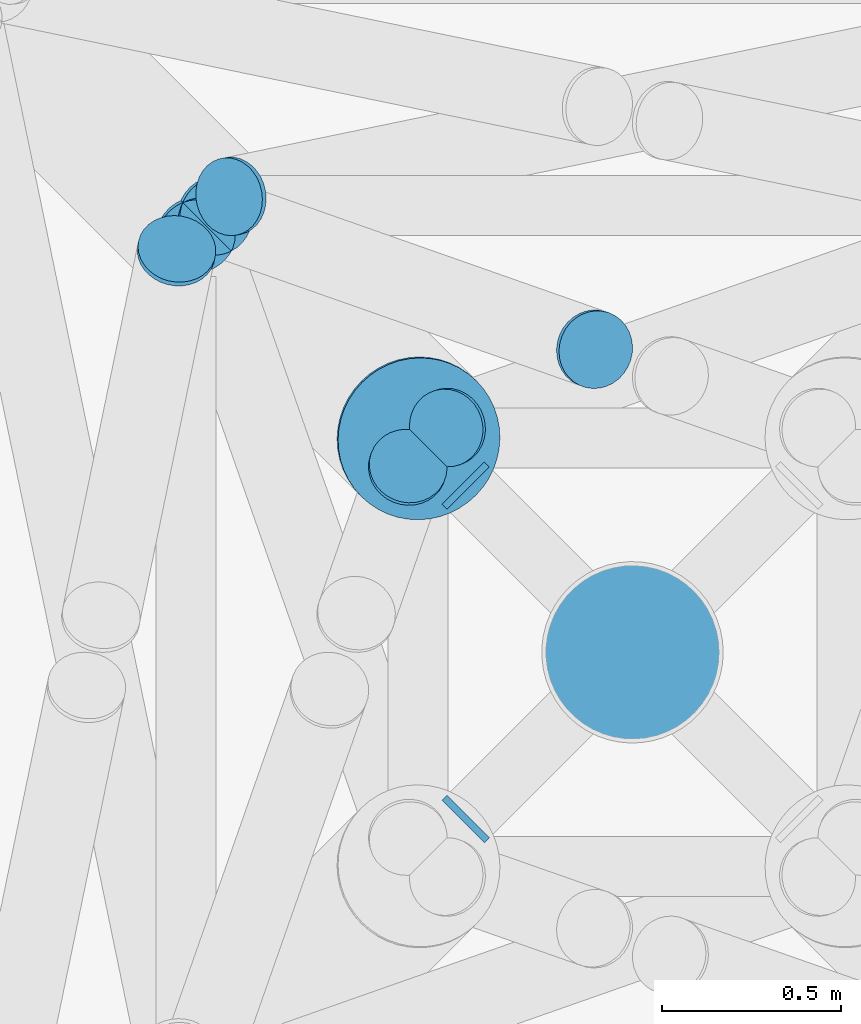
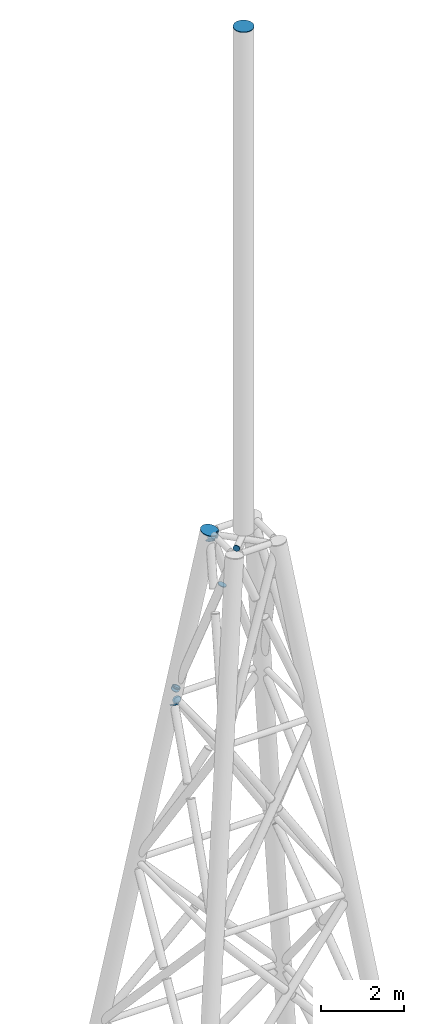
# One storey, part 5 of 10: 11 discrete accessories.
"""IFC4 building model written with IfcOpenShell, lengths in metres."""

from ifc_helpers import new_model, si_unit, direction, frame, origin, origin_2d, place, context, subcontext, project, spatial, circle, extrude, material, material_profile, profile_set, type_object, element, save


model = new_model("IFC4")

# Units and contexts
model_context = context("Model", 3, precision=1e-05, world=origin(), true_north=direction((0.0, 1.0)))
body_context = subcontext(model_context, "Body", "Model", "MODEL_VIEW")
ifc_project = project(units=[si_unit("LENGTHUNIT", "METRE"), si_unit("AREAUNIT", "SQUARE_METRE"), si_unit("VOLUMEUNIT", "CUBIC_METRE"), si_unit("PLANEANGLEUNIT", "RADIAN"), si_unit("MASSUNIT", "GRAM", prefix="KILO")], contexts=[model_context])

# Site, building, storey
site_placement = place(None, origin())
site = spatial("IfcSite", under=ifc_project, at=site_placement, CompositionType="ELEMENT")
building_placement = place(site_placement, origin())
building = spatial("IfcBuilding", under=site, at=building_placement, Name="Dhurran Vertical Campus", CompositionType="ELEMENT")
storey_placement = place(building_placement, frame((0.0, 0.0, 345.89990234375)))
storey = spatial("IfcBuildingStorey", under=building, at=storey_placement, Name="Upper Roof", CompositionType="ELEMENT", Elevation=345.89990234375)

# Discrete accessories
ifc_material_1 = material(Name="Steel S355J2", Category="steel")
ifc_material_profile_1 = material_profile(ifc_material_1, circle(Radius=0.084228515625, at=origin_2d()), Name="Tube end cap 168 x 20")
ifc_profile_set_1 = profile_set([ifc_material_profile_1], Name="Steel S355J2")
discrete_accessory_type_1 = type_object("IfcDiscreteAccessoryType", Name="Tube end cap 168 x 20", PredefinedType="USERDEFINED", material=ifc_profile_set_1)
for number, where, z_axis, x_axis, name in (
    (1, (-0.459716796875, -0.459716796875, 31.684326171875), (-0.707106781187, -0.707106781187, 0.0), (0.707106781187, -0.707106781187, 0.0), "EC1 mast head 1 capA"),
    (2, (-0.459716796875, 0.459716796875, 31.515869140625), (-0.707106781187, 0.707106781187, 0.0), (-0.707106781187, -0.707106781187, 0.0), "EC1 mast head 2 capB"),
):
    element("IfcDiscreteAccessory", number, at=place(storey_placement, frame(where, z_axis=z_axis, x_axis=x_axis)), inside=storey, type_object=discrete_accessory_type_1, Name=name, ObjectType="END CAP", PredefinedType="USERDEFINED", context=body_context, shape_type="SweptSolid", body=[
        extrude(circle(Radius=0.084228515625, at=origin_2d()), origin(), (0.0, 0.0, 1.0), 0.019775390625),
    ])
ifc_material_2 = material(Name="Steel S355J2", Category="steel")
ifc_material_profile_2 = material_profile(ifc_material_2, circle(Radius=0.109619140625, at=origin_2d()), Name="Tube end cap 219 x 20")
ifc_profile_set_2 = profile_set([ifc_material_profile_2], Name="Steel S355J2")
discrete_accessory_type_2 = type_object("IfcDiscreteAccessoryType", Name="Tube end cap 219 x 20", PredefinedType="USERDEFINED", material=ifc_profile_set_2)
for number, where, z_axis, x_axis, name in (
    (3, (-1.118408203125, 1.277099609375, 26.39111328125), (-0.525681799245, -0.110026423098, 0.843535910417), (0.204863154123, -0.978790625253, 0.0), "EC1 mast diag 4 055 capB"),
    (4, (-1.277099609375, 1.118408203125, 26.39111328125), (0.110026423098, 0.525681799245, 0.843535910417), (-0.978790625253, 0.204863154123, 0.0), "EC1 mast diag 4 060 capB"),
    (5, (-0.514404296875, 0.630126953125, 31.368896484375), (-0.343100156977, -0.122535770349, 0.931271854652), (0.336336396998, -0.941741911595, 0.0), "EC1 mast diag 5 067 capB"),
    (6, (-1.164306640625, 1.219970703125, 26.831298828125), (-0.353842768022, 0.122014747594, -0.927312081712), (-0.325990683319, -0.945372981626, 0.0), "EC1 mast diag 5 068 capA"),
    (7, (-0.109619140625, 0.849365234375, 29.681884765625), (0.343100156977, -0.122535770349, 0.931271854652), (0.336336396998, 0.941741911595, 0.0), "EC1 mast diag 5 068 capB"),
    (8, (-1.219970703125, 1.164306640625, 26.831298828125), (-0.122014747594, 0.353842768022, -0.927312081712), (-0.945372981626, -0.325990683319, 0.0), "EC1 mast diag 5 070 capA"),
    (9, (-0.630126953125, 0.514404296875, 31.368896484375), (0.122535770349, 0.343100156977, 0.931271854652), (-0.941741911595, 0.336336396998, 0.0), "EC1 mast diag 5 072 capB"),
):
    element("IfcDiscreteAccessory", number, at=place(storey_placement, frame(where, z_axis=z_axis, x_axis=x_axis)), inside=storey, type_object=discrete_accessory_type_2, Name=name, ObjectType="END CAP", PredefinedType="USERDEFINED", context=body_context, shape_type="SweptSolid", body=[
        extrude(circle(Radius=0.109619140625, at=origin_2d()), origin(), (0.0, 0.0, 1.0), 0.02001953125),
    ])
ifc_material_3 = material(Name="Steel S355J2", Category="steel")
ifc_material_profile_3 = material_profile(ifc_material_3, circle(Radius=0.228515625, at=origin_2d()), Name="Tube end cap 457 x 20")
ifc_profile_set_3 = profile_set([ifc_material_profile_3], Name="Steel S355J2")
discrete_accessory_type_3 = type_object("IfcDiscreteAccessoryType", Name="Tube end cap 457 x 20", PredefinedType="USERDEFINED", material=ifc_profile_set_3)
discrete_accessory_1_placement = place(storey_placement, frame((-0.60009765625, 0.60009765625, 31.60009765625), z_axis=(0.133365178225, -0.133365178225, 0.982052676018), x_axis=(0.707106781187, 0.707106781187, 0.0)))
element("IfcDiscreteAccessory", 10, at=discrete_accessory_1_placement, inside=storey, type_object=discrete_accessory_type_3, Name="EC1 mast leg4 cap", ObjectType="END CAP", PredefinedType="USERDEFINED", context=body_context, shape_type="SweptSolid", body=[
    extrude(circle(Radius=0.228515625, at=origin_2d()), origin(), (0.0, 0.0, 1.0), 0.02001953125),
])
ifc_material_4 = material(Name="Steel S355J2", Category="steel")
ifc_material_profile_4 = material_profile(ifc_material_4, circle(Radius=0.25390625, at=origin_2d()), Name="Tube end cap 508 x 20")
ifc_profile_set_4 = profile_set([ifc_material_profile_4], Name="Steel S355J2")
discrete_accessory_type_4 = type_object("IfcDiscreteAccessoryType", Name="Tube end cap 508 x 20", PredefinedType="USERDEFINED", material=ifc_profile_set_4)
discrete_accessory_2_placement = place(storey_placement, frame((0.0, 0.0, 46.60009765625), z_axis=(0.0, 0.0, 1.0), x_axis=(1.0, 0.0, 0.0)))
element("IfcDiscreteAccessory", 11, at=discrete_accessory_2_placement, inside=storey, type_object=discrete_accessory_type_4, Name="EC1 mast pole cap", ObjectType="END CAP", PredefinedType="USERDEFINED", context=body_context, shape_type="SweptSolid", body=[
    extrude(circle(Radius=0.25390625, at=origin_2d()), origin(), (0.0, 0.0, 1.0), 0.02001953125),
])

save(model, "model.ifc")
